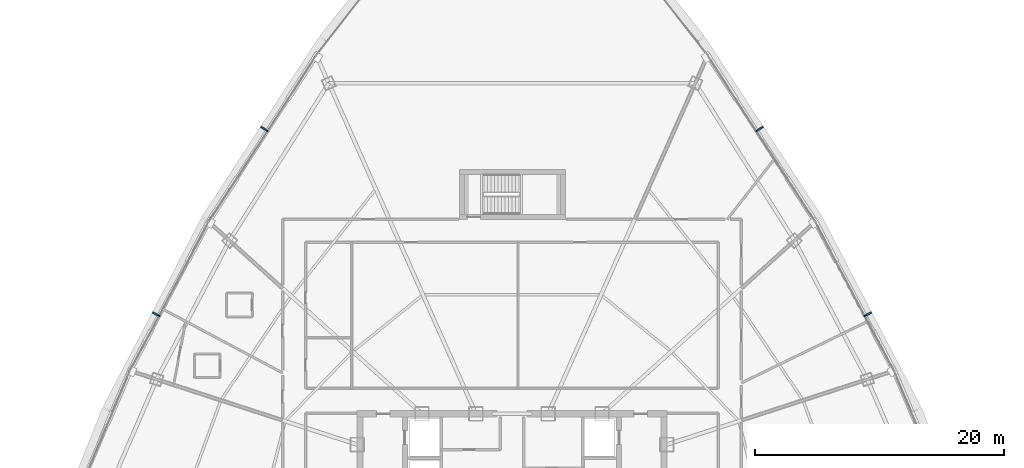
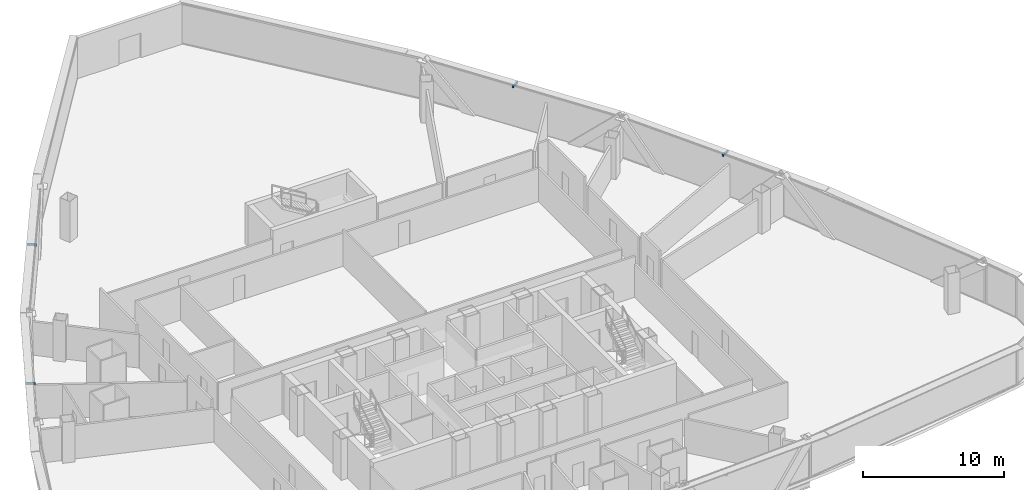
# One storey, part 36 of 40: 4 discrete accessories.
"""IFC4 building model written with IfcOpenShell, lengths in metres."""

from ifc_helpers import new_model, si_unit, direction, frame, origin, origin_2d, place, context, subcontext, project, spatial, rectangle, extrude, source, transform, mapped, material, type_object, element, save


model = new_model("IFC4")

# Units and contexts
model_context = context("Model", 3, precision=1e-05, world=origin(), true_north=direction((0.0, 1.0)))
body_context = subcontext(model_context, "Body", "Model", "MODEL_VIEW")
ifc_project = project(units=[si_unit("LENGTHUNIT", "METRE"), si_unit("AREAUNIT", "SQUARE_METRE"), si_unit("VOLUMEUNIT", "CUBIC_METRE"), si_unit("PLANEANGLEUNIT", "RADIAN"), si_unit("MASSUNIT", "GRAM", prefix="KILO"), si_unit("THERMODYNAMICTEMPERATUREUNIT", "KELVIN"), si_unit("POWERUNIT", "WATT")], contexts=[model_context])

# Site, building, storey
site_placement = place(None, origin())
site = spatial("IfcSite", under=ifc_project, at=site_placement, CompositionType="ELEMENT")
building_placement = place(site_placement, origin())
building = spatial("IfcBuilding", under=site, at=building_placement, Name="Yunzhuo Pagoda Commons", CompositionType="ELEMENT")
storey_placement = place(building_placement, frame((0.0, 0.0, 188.56005859375)))
storey = spatial("IfcBuildingStorey", under=building, at=storey_placement, Name="L47", CompositionType="ELEMENT", Elevation=188.56005859375)

# Discrete accessories
ifc_material = material(Name="Anodized aluminium 6063-T6", Category="aluminium")
discrete_accessory_type = type_object("IfcDiscreteAccessoryType", Name="BK-SUN1 Sunshade Outrigger Bracket", PredefinedType="BRACKET", material=ifc_material)
shared_shape = source(origin(), body_context, "Body", "SweptSolid", [
    extrude(rectangle(XDim=0.1201171875, YDim=0.679931640625, at=origin_2d()), origin(), (0.0, 0.0, 1.0), 0.179931640625),
])
for number, where, z_axis, x_axis, name in (
    (1, (76.5322265625, 48.178466796875, 3.330078125), (0.0, 0.0, 1.0), (-0.461206683033, 0.88729273384, 0.0), "L47 sunshade outrigger bracket F2.2"),
    (2, (67.8564453125, 63.041259765625, 3.330078125), (0.0, 0.0, 1.0), (-0.545838756973, 0.837890238269, 0.0), "L47 sunshade outrigger bracket F2.3"),
    (3, (28.1435546875, 63.041259765625, 3.330078125), (0.0, 0.0, 1.0), (-0.545838756973, -0.837890238269, 0.0), "L47 sunshade outrigger bracket F3.2"),
    (4, (19.4677734375, 48.178466796875, 3.330078125), (0.0, 0.0, 1.0), (-0.461206683033, -0.88729273384, 0.0), "L47 sunshade outrigger bracket F3.3"),
):
    element("IfcDiscreteAccessory", number, at=place(storey_placement, frame(where, z_axis=z_axis, x_axis=x_axis)), inside=storey, type_object=discrete_accessory_type, Name=name, PredefinedType="BRACKET", context=body_context, shape_type="MappedRepresentation", body=[
        mapped(shared_shape, transform((0.0, 0.0, 0.0), scale=1.0)),
    ])

save(model, "model.ifc")
